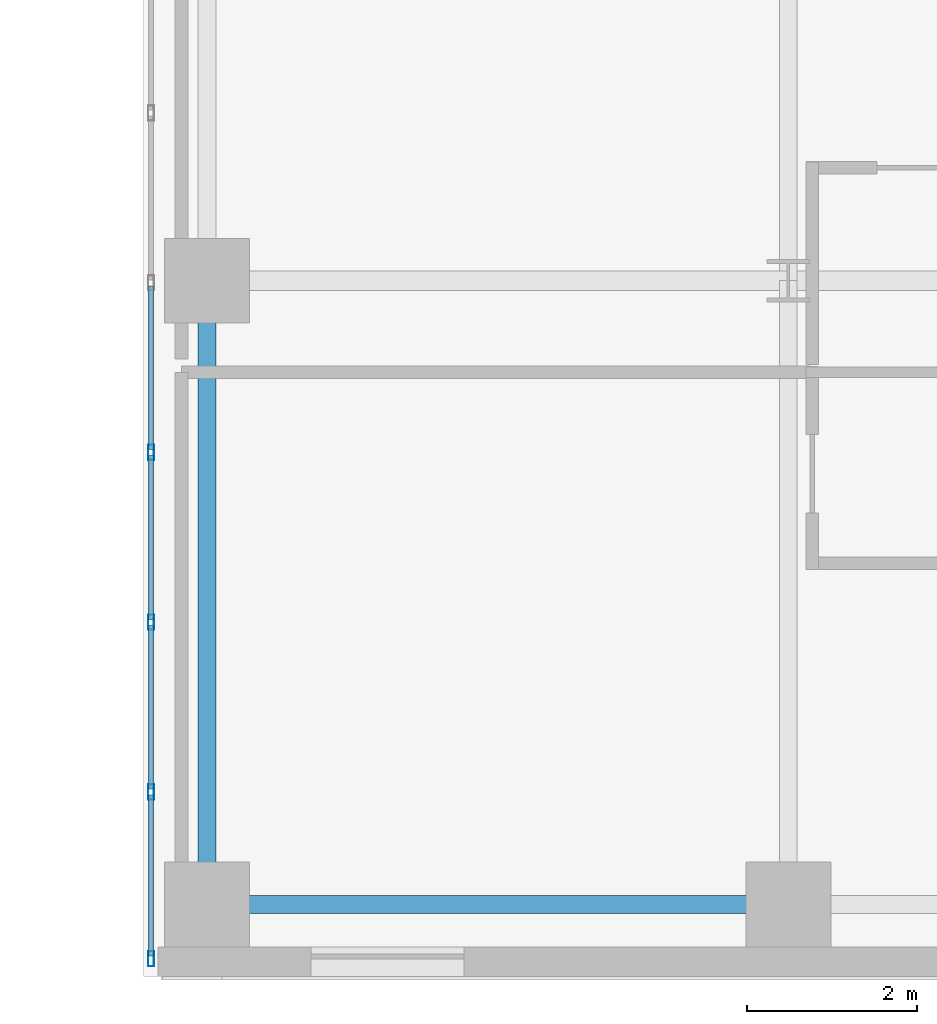
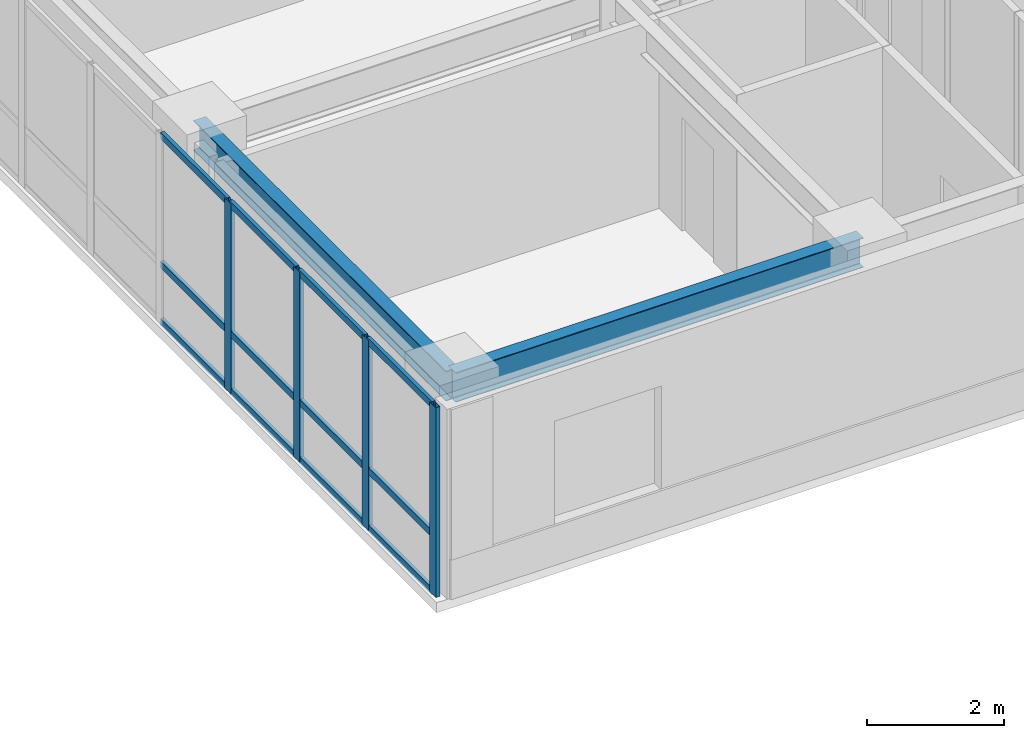
# One storey, part 7 of 25: 16 members, 2 beams, 1 element without a shape of its own.
"""IFC4 building model written with IfcOpenShell, lengths in metres."""

import ifcopenshell
import ifcopenshell.guid

model = None  # the IFC model being written
_history = None  # IfcOwnerHistory: only IFC2X3 demands one
_inside = {}  # id of a spatial element -> (the spatial element, [elements in it])
_under = {}  # id of a project, library or spatial element -> (it, [spatial elements below it])
_declared = {}  # id of a project -> (the project, [libraries it declares])
_typed = {}  # id of a type object -> (the type object, [elements of that type])
_made_of = {}  # id of a material, layer set ... -> (it, [elements and type objects made of it])


def new_model(schema):
    """Start an empty IFC model of exactly this schema.

    Asked for "IFC4X3", IfcOpenShell would pick the latest addendum, in which some entities
    have other attributes; the version numbers below select the first issue.
    IFC2X3 requires an IfcOwnerHistory on every rooted entity: one is made here for all.
    """
    global model, _history
    if schema == "IFC4X3":
        model = ifcopenshell.file(schema_version=(4, 3, 0, 0))
    else:
        model = ifcopenshell.file(schema=schema)
    _inside.clear()
    _under.clear()
    _declared.clear()
    _typed.clear()
    _made_of.clear()
    _history = None
    if model.schema == "IFC2X3":
        org = make("IfcOrganization", Name="unknown")
        user = make(
            "IfcPersonAndOrganization",
            ThePerson=make("IfcPerson", FamilyName="unknown"),
            TheOrganization=org,
        )
        app = make(
            "IfcApplication",
            ApplicationDeveloper=org,
            Version="unknown",
            ApplicationFullName="unknown",
            ApplicationIdentifier="unknown",
        )
        _history = make(
            "IfcOwnerHistory",
            OwningUser=user,
            OwningApplication=app,
            ChangeAction="ADDED",
            CreationDate=0,
        )
    return model


def make(cls, **values):
    """One entity of the class cls with the attributes given. An attribute that is None is left unset."""
    return model.create_entity(
        cls, **{name: value for name, value in values.items() if value is not None}
    )


def rooted(cls, **values):
    """An entity with a GlobalId (a new one), such as an element, a storey or a relation."""
    return make(cls, GlobalId=ifcopenshell.guid.new(), OwnerHistory=_history, **values)


def si_unit(unit_type, name, prefix=None):
    """IfcSIUnit, for example si_unit("LENGTHUNIT", "METRE", prefix="MILLI")."""
    return make("IfcSIUnit", UnitType=unit_type, Prefix=prefix, Name=name)


def assignment(units):
    """IfcUnitAssignment: the units of a project."""
    return None if units is None else make("IfcUnitAssignment", Units=units)


def point(xyz):
    """IfcCartesianPoint."""
    return None if xyz is None else make("IfcCartesianPoint", Coordinates=xyz)


def direction(xyz):
    """IfcDirection."""
    return None if xyz is None else make("IfcDirection", DirectionRatios=xyz)


def frame(location, z_axis=None, x_axis=None):
    """IfcAxis2Placement3D, a coordinate frame: its origin and axes. An axis left out is left unset."""
    return make(
        "IfcAxis2Placement3D",
        Location=point(location),
        Axis=direction(z_axis),
        RefDirection=direction(x_axis),
    )


def frame_2d(location, x_axis=None):
    """IfcAxis2Placement2D, a coordinate frame in the plane: its origin and x axis."""
    return make(
        "IfcAxis2Placement2D", Location=point(location), RefDirection=direction(x_axis)
    )


def origin():
    """The frame at (0, 0, 0) with its axes left unset."""
    return frame((0.0, 0.0, 0.0))


def origin_2d():
    """The frame at (0, 0) in the plane with its x axis left unset."""
    return frame_2d((0.0, 0.0))


def place(relative_to, where):
    """IfcLocalPlacement: puts the frame where relative to a parent placement (None: the world)."""
    return make(
        "IfcLocalPlacement", PlacementRelTo=relative_to, RelativePlacement=where
    )


def context(
    kind, dimensions, precision=None, world=None, true_north=None, identifier=None
):
    """IfcGeometricRepresentationContext, for example the 3D "Model" context."""
    return make(
        "IfcGeometricRepresentationContext",
        ContextIdentifier=identifier,
        ContextType=kind,
        CoordinateSpaceDimension=dimensions,
        Precision=precision,
        WorldCoordinateSystem=world,
        TrueNorth=true_north,
    )


def subcontext(parent, identifier, kind, view, scale=None):
    """IfcGeometricRepresentationSubContext, for example "Body" below "Model"."""
    return make(
        "IfcGeometricRepresentationSubContext",
        ContextIdentifier=identifier,
        ContextType=kind,
        ParentContext=parent,
        TargetScale=scale,
        TargetView=view,
    )


def project(units=None, contexts=None):
    """IfcProject with its units and contexts."""
    return rooted(
        "IfcProject",
        Name="project",
        RepresentationContexts=contexts,
        UnitsInContext=assignment(units),
    )


def spatial(cls, under=None, at=None, **own):
    """A site, building, storey or space (cls), placed at a placement, below another one or the project."""
    s = rooted(cls, ObjectPlacement=at, **own)
    if under is not None:
        _under.setdefault(under.id(), (under, []))[1].append(s)
    return s


def profile(cls, at=None, kind="AREA", **sizes):
    """A parametric profile (cls). Its sizes go by their IFC names, for example OverallWidth=200.0."""
    return make(cls, ProfileType=kind, Position=at, **sizes)


def hollow_rectangle(**sizes):
    """IfcRectangleHollowProfileDef."""
    return profile("IfcRectangleHollowProfileDef", **sizes)


def i_section(**sizes):
    """IfcIShapeProfileDef."""
    return profile("IfcIShapeProfileDef", **sizes)


def extrude(swept, where, along, depth):
    """IfcExtrudedAreaSolid: the profile swept, set in the frame where, extruded along a direction by depth."""
    return make(
        "IfcExtrudedAreaSolid",
        SweptArea=swept,
        Position=where,
        ExtrudedDirection=direction(along),
        Depth=depth,
    )


def shape(context_of_items, identifier, shape_type, items):
    """IfcShapeRepresentation: the items that make up one representation, for example the "Body"."""
    return make(
        "IfcShapeRepresentation",
        ContextOfItems=context_of_items,
        RepresentationIdentifier=identifier,
        RepresentationType=shape_type,
        Items=items,
    )


def source(mapping_origin, context_of_items, identifier, shape_type, items):
    """IfcRepresentationMap: a shape defined once, which mapped items show again and again."""
    return make(
        "IfcRepresentationMap",
        MappingOrigin=mapping_origin,
        MappedRepresentation=shape(context_of_items, identifier, shape_type, items),
    )


def transform(
    local_origin,
    x_axis=None,
    y_axis=None,
    z_axis=None,
    scale=None,
    scale2=None,
    scale3=None,
    uniform=True,
):
    """IfcCartesianTransformationOperator3D, or its non-uniform kind. x_axis, y_axis, z_axis: its Axis1, 2, 3."""
    if uniform:
        return make(
            "IfcCartesianTransformationOperator3D",
            Axis1=direction(x_axis),
            Axis2=direction(y_axis),
            LocalOrigin=point(local_origin),
            Scale=scale,
            Axis3=direction(z_axis),
        )
    return make(
        "IfcCartesianTransformationOperator3DnonUniform",
        Axis1=direction(x_axis),
        Axis2=direction(y_axis),
        LocalOrigin=point(local_origin),
        Scale=scale,
        Axis3=direction(z_axis),
        Scale2=scale2,
        Scale3=scale3,
    )


def mapped(mapping_source, mapping_target):
    """IfcMappedItem: shows the shape of a source again, moved by a transform."""
    return make(
        "IfcMappedItem", MappingSource=mapping_source, MappingTarget=mapping_target
    )


def material(Name=None, Category=None):
    """IfcMaterial."""
    return make("IfcMaterial", Name=Name, Category=Category)


def layer(
    of_material, thickness, ventilated=None, Name=None, Category=None, Priority=None
):
    """IfcMaterialLayer: one layer of a wall or slab, of a material (None: an air gap)."""
    return make(
        "IfcMaterialLayer",
        Material=of_material,
        LayerThickness=thickness,
        IsVentilated=ventilated,
        Name=Name,
        Category=Category,
        Priority=Priority,
    )


def layer_set(layers, Name=None):
    """IfcMaterialLayerSet."""
    return make("IfcMaterialLayerSet", MaterialLayers=layers, LayerSetName=Name)


def material_profile(
    of_material, cross_section, Name=None, Category=None, Priority=None
):
    """IfcMaterialProfile: a cross section and its material."""
    return make(
        "IfcMaterialProfile",
        Name=Name,
        Material=of_material,
        Profile=cross_section,
        Priority=Priority,
        Category=Category,
    )


def profile_set(profiles, Name=None, composite=None):
    """IfcMaterialProfileSet."""
    return make(
        "IfcMaterialProfileSet",
        Name=Name,
        MaterialProfiles=profiles,
        CompositeProfile=composite,
    )


def made_of(thing, what):
    """Note that an element or type object is made of a material, layer set ...; save() writes the relation."""
    if what is not None:
        _made_of.setdefault(what.id(), (what, []))[1].append(thing)
    return thing


def type_object(cls, material=None, **own):
    """A type object (cls), such as IfcWallType, which elements share."""
    return made_of(rooted(cls, **own), material)


def type_shapes(of_type, sources):
    """Give a type object the sources (RepresentationMaps) that its elements show as mapped items."""
    of_type.RepresentationMaps = sources


def element(
    cls,
    number,
    at=None,
    inside=None,
    cuts=None,
    type_object=None,
    material=None,
    context=None,
    identifier="Body",
    shape_type=None,
    held_by="IfcProductDefinitionShape",
    body=None,
    shapes=None,
    **own,
):
    """One element of the class cls, such as IfcWall. Its Tag is "e" and its number.

    at: its placement. inside: the storey or other place that contains it. cuts: it is an
    opening in that element (IfcRelVoidsElement). A single representation is given by context,
    identifier, shape_type and body (its items); several are given by shapes. held_by: the class
    of the entity that holds the representations. save() writes the other relations.
    """
    e = rooted(cls, Tag="e%d" % number, ObjectPlacement=at, **own)
    if body is not None:
        shapes = [shape(context, identifier, shape_type, body)]
    if shapes is not None:
        e.Representation = make(held_by, Representations=shapes)
    if inside is not None:
        _inside.setdefault(inside.id(), (inside, []))[1].append(e)
    if cuts is not None:
        rooted(
            "IfcRelVoidsElement", RelatingBuildingElement=cuts, RelatedOpeningElement=e
        )
    if type_object is not None:
        _typed.setdefault(type_object.id(), (type_object, []))[1].append(e)
    return made_of(e, material)


def aggregate(whole, parts):
    """IfcRelAggregates: a whole, such as a stair, and the parts it consists of."""
    return rooted("IfcRelAggregates", RelatingObject=whole, RelatedObjects=parts)


def save(model, path):
    """Write the relations noted so far, then the file.

    IfcRelAggregates (storeys below a building ...), IfcRelContainedInSpatialStructure (elements
    in a storey), IfcRelDefinesByType, IfcRelAssociatesMaterial and IfcRelDeclares: one each for
    every whole, place, type object, material and project.
    """
    for whole, parts in _under.values():
        aggregate(whole, parts)
    for where, things in _inside.values():
        rooted(
            "IfcRelContainedInSpatialStructure",
            RelatedElements=things,
            RelatingStructure=where,
        )
    for kind, things in _typed.values():
        rooted("IfcRelDefinesByType", RelatedObjects=things, RelatingType=kind)
    for what, things in _made_of.values():
        rooted("IfcRelAssociatesMaterial", RelatedObjects=things, RelatingMaterial=what)
    for by, libraries in _declared.values():
        rooted("IfcRelDeclares", RelatingContext=by, RelatedDefinitions=libraries)
    model.write(path)


model = new_model("IFC4")

# Units and contexts
model_context = context("Model", 3, precision=1e-05, world=origin(), true_north=direction((0.0, 1.0)))
body_context = subcontext(model_context, "Body", "Model", "MODEL_VIEW")
ifc_project = project(units=[si_unit("LENGTHUNIT", "METRE"), si_unit("AREAUNIT", "SQUARE_METRE"), si_unit("VOLUMEUNIT", "CUBIC_METRE"), si_unit("PLANEANGLEUNIT", "RADIAN"), si_unit("MASSUNIT", "GRAM", prefix="KILO")], contexts=[model_context])

# Site, building, storey
site_placement = place(None, origin())
site = spatial("IfcSite", under=ifc_project, at=site_placement, CompositionType="ELEMENT")
building_placement = place(site_placement, origin())
building = spatial("IfcBuilding", under=site, at=building_placement, Name="Tolvann Quenvar Hotel", CompositionType="ELEMENT")
storey_placement = place(building_placement, frame((0.0, 0.0, 39.10009765625)))
storey = spatial("IfcBuildingStorey", under=building, at=storey_placement, Name="L08", CompositionType="ELEMENT", Elevation=39.10009765625)

# Beams
ifc_material_1 = material(Name="Steel Grade 350", Category="steel")
ifc_material_profile_1 = material_profile(ifc_material_1, i_section(OverallWidth=0.208984375, OverallDepth=0.528076171875, WebThickness=0.009521484375, FlangeThickness=0.01318359375, FilletRadius=0.013916015625, at=origin_2d()), Name="530UB82")
ifc_profile_set_1 = profile_set([ifc_material_profile_1], Name="Steel Grade 350")
beam_type_1 = type_object("IfcBeamType", Name="BM_SPAND_530UB82", PredefinedType="SPANDREL", material=ifc_profile_set_1)
shared_shape_1 = source(origin(), body_context, "Body", "SweptSolid", [
    extrude(i_section(OverallWidth=0.208984375, OverallDepth=0.528076171875, WebThickness=0.009521484375, FlangeThickness=0.01318359375, FilletRadius=0.013916015625, at=origin_2d()), origin(), (0.0, 0.0, 1.0), 6.85009765625),
])
type_shapes(beam_type_1, [shared_shape_1])
beam_1_placement = place(storey_placement, frame((34.949951171875, 0.85009765625, 3.10595703125), z_axis=(1.0, 0.0, 0.0), x_axis=(0.0, 1.0, 0.0)))
element("IfcBeam", 1, at=beam_1_placement, inside=storey, type_object=beam_type_1, Name="BM-L08-EW-2-F2-H2", PredefinedType="SPANDREL", context=body_context, shape_type="MappedRepresentation", body=[
    mapped(shared_shape_1, transform((0.0, 0.0, 0.0), x_axis=(1.0, 0.0, 0.0), y_axis=(0.0, 1.0, 0.0), z_axis=(0.0, 0.0, 1.0), scale=1.0)),
])
ifc_material_profile_2 = material_profile(ifc_material_1, i_section(OverallWidth=0.208984375, OverallDepth=0.532958984375, WebThickness=0.01025390625, FlangeThickness=0.015625, FilletRadius=0.013916015625, at=origin_2d()), Name="530UB92")
ifc_profile_set_2 = profile_set([ifc_material_profile_2], Name="Steel Grade 350")
beam_type_2 = type_object("IfcBeamType", Name="BM_GIRD_530UB92", PredefinedType="BEAM", material=ifc_profile_set_2)
shared_shape_2 = source(origin(), body_context, "Body", "SweptSolid", [
    extrude(i_section(OverallWidth=0.208984375, OverallDepth=0.532958984375, WebThickness=0.01025390625, FlangeThickness=0.015625, FilletRadius=0.013916015625, at=origin_2d()), origin(), (0.0, 0.0, 1.0), 7.349853515625),
])
type_shapes(beam_type_2, [shared_shape_2])
beam_2_placement = place(storey_placement, frame((34.949951171875, 0.85009765625, 3.103515625), z_axis=(0.0, 1.0, 0.0), x_axis=(-1.0, 0.0, 0.0)))
element("IfcBeam", 2, at=beam_2_placement, inside=storey, type_object=beam_type_2, Name="BM-L08-NS-F2-F3", PredefinedType="BEAM", context=body_context, shape_type="MappedRepresentation", body=[
    mapped(shared_shape_2, transform((0.0, 0.0, 0.0), x_axis=(1.0, 0.0, 0.0), y_axis=(0.0, 1.0, 0.0), z_axis=(0.0, 0.0, 1.0), scale=1.0)),
])

# Curtain wall, members
ifc_material_2 = material(Name="Thermally broken anodised architectural aluminium 6063-T6 and laminated low-E glass", Category="aluminium")
ifc_layer = layer(ifc_material_2, 0.179931640625)
ifc_layer_set = layer_set([ifc_layer], Name="Thermally broken anodised architectural aluminium 6063-T6 and laminated low-E glass")
curtain_wall_type = type_object("IfcCurtainWallType", Name="CW_SYS_SLOT_03", PredefinedType="USERDEFINED", material=ifc_layer_set)
curtain_wall_placement = place(storey_placement, origin())
curtain_wall = element("IfcCurtainWall", 3, at=curtain_wall_placement, inside=storey, type_object=curtain_wall_type, Name="Curtain Wall CW-SLOT-03 (CWR-L08-E07)", ObjectType="UNITISED CURTAIN WALL", PredefinedType="USERDEFINED")
ifc_material_3 = material(Name="Anodised architectural aluminium 6063-T6 framing", Category="aluminium")
ifc_material_profile_3 = material_profile(ifc_material_3, hollow_rectangle(XDim=0.06005859375, YDim=0.1201171875, WallThickness=0.00341796875, at=origin_2d()), Name="120x60x3.5RHS")
ifc_profile_set_3 = profile_set([ifc_material_profile_3], Name="Anodised architectural aluminium 6063-T6 framing")
member_type_1 = type_object("IfcMemberType", Name="CW_TRAN_120x60", PredefinedType="USERDEFINED", material=ifc_profile_set_3)
shared_shape_3 = source(origin(), body_context, "Body", "SweptSolid", [
    extrude(hollow_rectangle(XDim=0.06005859375, YDim=0.1201171875, WallThickness=0.00341796875, at=origin_2d()), origin(), (0.0, 0.0, 1.0), 1.894775390625),
])
member_1_placement = place(storey_placement, frame((34.2900390625, 2.139892578125, 0.02978515625), z_axis=(0.0, -1.0, 0.0), x_axis=(1.0, 0.0, 0.0)))
member_1 = element("IfcMember", 4, at=member_1_placement, type_object=member_type_1, Name="CW-SLOT-03 transom 8.1", ObjectType="TRANSOM", PredefinedType="USERDEFINED", context=body_context, shape_type="MappedRepresentation", body=[
    mapped(shared_shape_3, transform((0.0, 0.0, 0.0), x_axis=(1.0, 0.0, 0.0), y_axis=(0.0, 1.0, 0.0), z_axis=(0.0, 0.0, 1.0), scale=1.0)),
])
member_2_placement = place(storey_placement, frame((34.2900390625, 2.139892578125, 1.0498046875), z_axis=(0.0, -1.0, 0.0), x_axis=(1.0, 0.0, 0.0)))
member_2 = element("IfcMember", 5, at=member_2_placement, type_object=member_type_1, Name="CW-SLOT-03 transom 8.2", ObjectType="TRANSOM", PredefinedType="USERDEFINED", context=body_context, shape_type="MappedRepresentation", body=[
    mapped(shared_shape_3, transform((0.0, 0.0, 0.0), x_axis=(1.0, 0.0, 0.0), y_axis=(0.0, 1.0, 0.0), z_axis=(0.0, 0.0, 1.0), scale=1.0)),
])
member_3_placement = place(storey_placement, frame((34.2900390625, 2.139892578125, 3.33984375), z_axis=(0.0, -1.0, 0.0), x_axis=(1.0, 0.0, 0.0)))
member_3 = element("IfcMember", 6, at=member_3_placement, type_object=member_type_1, Name="CW-SLOT-03 transom 8.3", ObjectType="TRANSOM", PredefinedType="USERDEFINED", context=body_context, shape_type="MappedRepresentation", body=[
    mapped(shared_shape_3, transform((0.0, 0.0, 0.0), x_axis=(1.0, 0.0, 0.0), y_axis=(0.0, 1.0, 0.0), z_axis=(0.0, 0.0, 1.0), scale=1.0)),
])
shared_shape_4 = source(origin(), body_context, "Body", "SweptSolid", [
    extrude(hollow_rectangle(XDim=0.06005859375, YDim=0.1201171875, WallThickness=0.00341796875, at=origin_2d()), origin(), (0.0, 0.0, 1.0), 1.929931640625),
])
type_shapes(member_type_1, [shared_shape_3, shared_shape_4])
member_4_placement = place(storey_placement, frame((34.2900390625, 8.139892578125, 0.02978515625), z_axis=(0.0, -1.0, 0.0), x_axis=(1.0, 0.0, 0.0)))
member_4 = element("IfcMember", 7, at=member_4_placement, type_object=member_type_1, Name="CW-SLOT-03 transom 5.1", ObjectType="TRANSOM", PredefinedType="USERDEFINED", context=body_context, shape_type="MappedRepresentation", body=[
    mapped(shared_shape_4, transform((0.0, 0.0, 0.0), x_axis=(1.0, 0.0, 0.0), y_axis=(0.0, 1.0, 0.0), z_axis=(0.0, 0.0, 1.0), scale=1.0)),
])
member_5_placement = place(storey_placement, frame((34.2900390625, 8.139892578125, 1.0498046875), z_axis=(0.0, -1.0, 0.0), x_axis=(1.0, 0.0, 0.0)))
member_5 = element("IfcMember", 8, at=member_5_placement, type_object=member_type_1, Name="CW-SLOT-03 transom 5.2", ObjectType="TRANSOM", PredefinedType="USERDEFINED", context=body_context, shape_type="MappedRepresentation", body=[
    mapped(shared_shape_4, transform((0.0, 0.0, 0.0), x_axis=(1.0, 0.0, 0.0), y_axis=(0.0, 1.0, 0.0), z_axis=(0.0, 0.0, 1.0), scale=1.0)),
])
member_6_placement = place(storey_placement, frame((34.2900390625, 8.139892578125, 3.33984375), z_axis=(0.0, -1.0, 0.0), x_axis=(1.0, 0.0, 0.0)))
member_6 = element("IfcMember", 9, at=member_6_placement, type_object=member_type_1, Name="CW-SLOT-03 transom 5.3", ObjectType="TRANSOM", PredefinedType="USERDEFINED", context=body_context, shape_type="MappedRepresentation", body=[
    mapped(shared_shape_4, transform((0.0, 0.0, 0.0), x_axis=(1.0, 0.0, 0.0), y_axis=(0.0, 1.0, 0.0), z_axis=(0.0, 0.0, 1.0), scale=1.0)),
])
member_7_placement = place(storey_placement, frame((34.2900390625, 6.139892578125, 0.02978515625), z_axis=(0.0, -1.0, 0.0), x_axis=(1.0, 0.0, 0.0)))
member_7 = element("IfcMember", 10, at=member_7_placement, type_object=member_type_1, Name="CW-SLOT-03 transom 6.1", ObjectType="TRANSOM", PredefinedType="USERDEFINED", context=body_context, shape_type="MappedRepresentation", body=[
    mapped(shared_shape_4, transform((0.0, 0.0, 0.0), x_axis=(1.0, 0.0, 0.0), y_axis=(0.0, 1.0, 0.0), z_axis=(0.0, 0.0, 1.0), scale=1.0)),
])
member_8_placement = place(storey_placement, frame((34.2900390625, 6.139892578125, 1.0498046875), z_axis=(0.0, -1.0, 0.0), x_axis=(1.0, 0.0, 0.0)))
member_8 = element("IfcMember", 11, at=member_8_placement, type_object=member_type_1, Name="CW-SLOT-03 transom 6.2", ObjectType="TRANSOM", PredefinedType="USERDEFINED", context=body_context, shape_type="MappedRepresentation", body=[
    mapped(shared_shape_4, transform((0.0, 0.0, 0.0), x_axis=(1.0, 0.0, 0.0), y_axis=(0.0, 1.0, 0.0), z_axis=(0.0, 0.0, 1.0), scale=1.0)),
])
member_9_placement = place(storey_placement, frame((34.2900390625, 6.139892578125, 3.33984375), z_axis=(0.0, -1.0, 0.0), x_axis=(1.0, 0.0, 0.0)))
member_9 = element("IfcMember", 12, at=member_9_placement, type_object=member_type_1, Name="CW-SLOT-03 transom 6.3", ObjectType="TRANSOM", PredefinedType="USERDEFINED", context=body_context, shape_type="MappedRepresentation", body=[
    mapped(shared_shape_4, transform((0.0, 0.0, 0.0), x_axis=(1.0, 0.0, 0.0), y_axis=(0.0, 1.0, 0.0), z_axis=(0.0, 0.0, 1.0), scale=1.0)),
])
member_10_placement = place(storey_placement, frame((34.2900390625, 4.139892578125, 0.02978515625), z_axis=(0.0, -1.0, 0.0), x_axis=(1.0, 0.0, 0.0)))
member_10 = element("IfcMember", 13, at=member_10_placement, type_object=member_type_1, Name="CW-SLOT-03 transom 7.1", ObjectType="TRANSOM", PredefinedType="USERDEFINED", context=body_context, shape_type="MappedRepresentation", body=[
    mapped(shared_shape_4, transform((0.0, 0.0, 0.0), x_axis=(1.0, 0.0, 0.0), y_axis=(0.0, 1.0, 0.0), z_axis=(0.0, 0.0, 1.0), scale=1.0)),
])
member_11_placement = place(storey_placement, frame((34.2900390625, 4.139892578125, 1.0498046875), z_axis=(0.0, -1.0, 0.0), x_axis=(1.0, 0.0, 0.0)))
member_11 = element("IfcMember", 14, at=member_11_placement, type_object=member_type_1, Name="CW-SLOT-03 transom 7.2", ObjectType="TRANSOM", PredefinedType="USERDEFINED", context=body_context, shape_type="MappedRepresentation", body=[
    mapped(shared_shape_4, transform((0.0, 0.0, 0.0), x_axis=(1.0, 0.0, 0.0), y_axis=(0.0, 1.0, 0.0), z_axis=(0.0, 0.0, 1.0), scale=1.0)),
])
member_12_placement = place(storey_placement, frame((34.2900390625, 4.139892578125, 3.33984375), z_axis=(0.0, -1.0, 0.0), x_axis=(1.0, 0.0, 0.0)))
member_12 = element("IfcMember", 15, at=member_12_placement, type_object=member_type_1, Name="CW-SLOT-03 transom 7.3", ObjectType="TRANSOM", PredefinedType="USERDEFINED", context=body_context, shape_type="MappedRepresentation", body=[
    mapped(shared_shape_4, transform((0.0, 0.0, 0.0), x_axis=(1.0, 0.0, 0.0), y_axis=(0.0, 1.0, 0.0), z_axis=(0.0, 0.0, 1.0), scale=1.0)),
])
ifc_material_profile_4 = material_profile(ifc_material_3, hollow_rectangle(XDim=0.070068359375, YDim=0.179931640625, WallThickness=0.00390625, at=origin_2d()), Name="180x70x4RHS")
ifc_profile_set_4 = profile_set([ifc_material_profile_4], Name="Anodised architectural aluminium 6063-T6 framing")
member_type_2 = type_object("IfcMemberType", Name="CW_MULL_180x70", PredefinedType="MULLION", material=ifc_profile_set_4)
shared_shape_5 = source(origin(), body_context, "Body", "SweptSolid", [
    extrude(hollow_rectangle(XDim=0.070068359375, YDim=0.179931640625, WallThickness=0.00390625, at=origin_2d()), origin(), (0.0, 0.0, 1.0), 3.369873046875),
])
type_shapes(member_type_2, [shared_shape_5])
member_13_placement = place(storey_placement, frame((34.2900390625, 6.175048828125, 0.0), z_axis=(0.0, 0.0, 1.0), x_axis=(1.0, 0.0, 0.0)))
member_13 = element("IfcMember", 16, at=member_13_placement, type_object=member_type_2, Name="CW-SLOT-03 mullion 6", PredefinedType="MULLION", context=body_context, shape_type="MappedRepresentation", body=[
    mapped(shared_shape_5, transform((0.0, 0.0, 0.0), x_axis=(1.0, 0.0, 0.0), y_axis=(0.0, 1.0, 0.0), z_axis=(0.0, 0.0, 1.0), scale=1.0)),
])
member_14_placement = place(storey_placement, frame((34.2900390625, 4.175048828125, 0.0), z_axis=(0.0, 0.0, 1.0), x_axis=(1.0, 0.0, 0.0)))
member_14 = element("IfcMember", 17, at=member_14_placement, type_object=member_type_2, Name="CW-SLOT-03 mullion 7", PredefinedType="MULLION", context=body_context, shape_type="MappedRepresentation", body=[
    mapped(shared_shape_5, transform((0.0, 0.0, 0.0), x_axis=(1.0, 0.0, 0.0), y_axis=(0.0, 1.0, 0.0), z_axis=(0.0, 0.0, 1.0), scale=1.0)),
])
member_15_placement = place(storey_placement, frame((34.2900390625, 2.175048828125, 0.0), z_axis=(0.0, 0.0, 1.0), x_axis=(1.0, 0.0, 0.0)))
member_15 = element("IfcMember", 18, at=member_15_placement, type_object=member_type_2, Name="CW-SLOT-03 mullion 8", PredefinedType="MULLION", context=body_context, shape_type="MappedRepresentation", body=[
    mapped(shared_shape_5, transform((0.0, 0.0, 0.0), x_axis=(1.0, 0.0, 0.0), y_axis=(0.0, 1.0, 0.0), z_axis=(0.0, 0.0, 1.0), scale=1.0)),
])
member_16_placement = place(storey_placement, frame((34.2900390625, 0.2099609375, 0.0), z_axis=(0.0, 0.0, 1.0), x_axis=(1.0, 0.0, 0.0)))
member_16 = element("IfcMember", 19, at=member_16_placement, type_object=member_type_2, Name="CW-SLOT-03 mullion 9", PredefinedType="MULLION", context=body_context, shape_type="MappedRepresentation", body=[
    mapped(shared_shape_5, transform((0.0, 0.0, 0.0), x_axis=(1.0, 0.0, 0.0), y_axis=(0.0, 1.0, 0.0), z_axis=(0.0, 0.0, 1.0), scale=1.0)),
])
aggregate(curtain_wall, [member_13, member_14, member_15, member_16, member_4, member_5, member_6, member_7, member_8, member_9, member_10, member_11, member_12, member_1, member_2, member_3])

save(model, "model.ifc")
